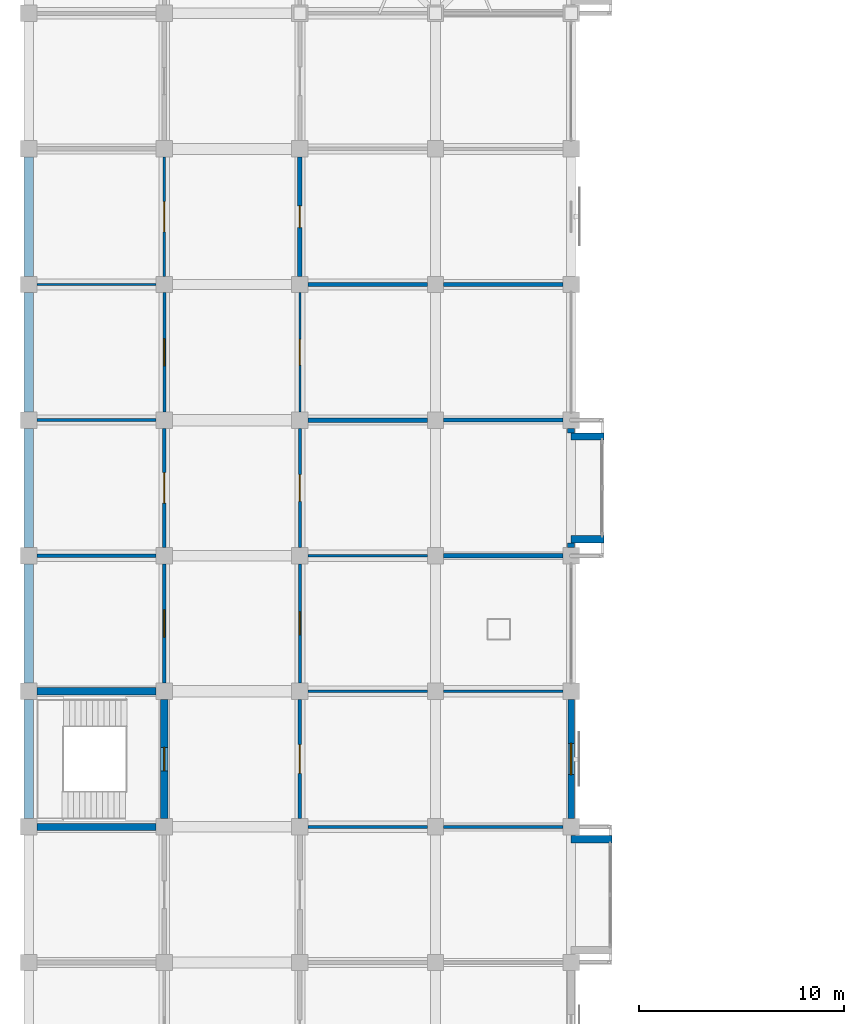
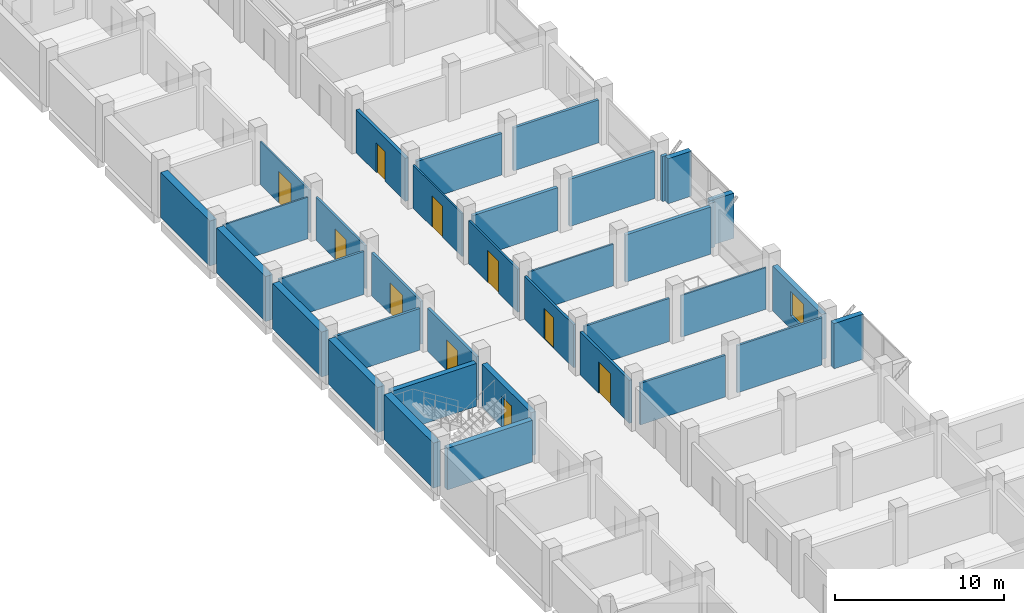
# One storey, part 22 of 30: 36 walls, 10 doors, 1 window, 11 openings.
"""IFC4 building model written with IfcOpenShell, lengths in metres."""

import ifcopenshell
import ifcopenshell.guid

model = None  # the IFC model being written
_history = None  # IfcOwnerHistory: only IFC2X3 demands one
_inside = {}  # id of a spatial element -> (the spatial element, [elements in it])
_under = {}  # id of a project, library or spatial element -> (it, [spatial elements below it])
_declared = {}  # id of a project -> (the project, [libraries it declares])
_typed = {}  # id of a type object -> (the type object, [elements of that type])
_made_of = {}  # id of a material, layer set ... -> (it, [elements and type objects made of it])


def new_model(schema):
    """Start an empty IFC model of exactly this schema.

    Asked for "IFC4X3", IfcOpenShell would pick the latest addendum, in which some entities
    have other attributes; the version numbers below select the first issue.
    IFC2X3 requires an IfcOwnerHistory on every rooted entity: one is made here for all.
    """
    global model, _history
    if schema == "IFC4X3":
        model = ifcopenshell.file(schema_version=(4, 3, 0, 0))
    else:
        model = ifcopenshell.file(schema=schema)
    _inside.clear()
    _under.clear()
    _declared.clear()
    _typed.clear()
    _made_of.clear()
    _history = None
    if model.schema == "IFC2X3":
        org = make("IfcOrganization", Name="unknown")
        user = make(
            "IfcPersonAndOrganization",
            ThePerson=make("IfcPerson", FamilyName="unknown"),
            TheOrganization=org,
        )
        app = make(
            "IfcApplication",
            ApplicationDeveloper=org,
            Version="unknown",
            ApplicationFullName="unknown",
            ApplicationIdentifier="unknown",
        )
        _history = make(
            "IfcOwnerHistory",
            OwningUser=user,
            OwningApplication=app,
            ChangeAction="ADDED",
            CreationDate=0,
        )
    return model


def make(cls, **values):
    """One entity of the class cls with the attributes given. An attribute that is None is left unset."""
    return model.create_entity(
        cls, **{name: value for name, value in values.items() if value is not None}
    )


def rooted(cls, **values):
    """An entity with a GlobalId (a new one), such as an element, a storey or a relation."""
    return make(cls, GlobalId=ifcopenshell.guid.new(), OwnerHistory=_history, **values)


def si_unit(unit_type, name, prefix=None):
    """IfcSIUnit, for example si_unit("LENGTHUNIT", "METRE", prefix="MILLI")."""
    return make("IfcSIUnit", UnitType=unit_type, Prefix=prefix, Name=name)


def assignment(units):
    """IfcUnitAssignment: the units of a project."""
    return None if units is None else make("IfcUnitAssignment", Units=units)


def point(xyz):
    """IfcCartesianPoint."""
    return None if xyz is None else make("IfcCartesianPoint", Coordinates=xyz)


def direction(xyz):
    """IfcDirection."""
    return None if xyz is None else make("IfcDirection", DirectionRatios=xyz)


def frame(location, z_axis=None, x_axis=None):
    """IfcAxis2Placement3D, a coordinate frame: its origin and axes. An axis left out is left unset."""
    return make(
        "IfcAxis2Placement3D",
        Location=point(location),
        Axis=direction(z_axis),
        RefDirection=direction(x_axis),
    )


def frame_2d(location, x_axis=None):
    """IfcAxis2Placement2D, a coordinate frame in the plane: its origin and x axis."""
    return make(
        "IfcAxis2Placement2D", Location=point(location), RefDirection=direction(x_axis)
    )


def origin():
    """The frame at (0, 0, 0) with its axes left unset."""
    return frame((0.0, 0.0, 0.0))


def place(relative_to, where):
    """IfcLocalPlacement: puts the frame where relative to a parent placement (None: the world)."""
    return make(
        "IfcLocalPlacement", PlacementRelTo=relative_to, RelativePlacement=where
    )


def context(
    kind, dimensions, precision=None, world=None, true_north=None, identifier=None
):
    """IfcGeometricRepresentationContext, for example the 3D "Model" context."""
    return make(
        "IfcGeometricRepresentationContext",
        ContextIdentifier=identifier,
        ContextType=kind,
        CoordinateSpaceDimension=dimensions,
        Precision=precision,
        WorldCoordinateSystem=world,
        TrueNorth=true_north,
    )


def subcontext(parent, identifier, kind, view, scale=None):
    """IfcGeometricRepresentationSubContext, for example "Body" below "Model"."""
    return make(
        "IfcGeometricRepresentationSubContext",
        ContextIdentifier=identifier,
        ContextType=kind,
        ParentContext=parent,
        TargetScale=scale,
        TargetView=view,
    )


def project(units=None, contexts=None):
    """IfcProject with its units and contexts."""
    return rooted(
        "IfcProject",
        Name="project",
        RepresentationContexts=contexts,
        UnitsInContext=assignment(units),
    )


def spatial(cls, under=None, at=None, **own):
    """A site, building, storey or space (cls), placed at a placement, below another one or the project."""
    s = rooted(cls, ObjectPlacement=at, **own)
    if under is not None:
        _under.setdefault(under.id(), (under, []))[1].append(s)
    return s


def profile(cls, at=None, kind="AREA", **sizes):
    """A parametric profile (cls). Its sizes go by their IFC names, for example OverallWidth=200.0."""
    return make(cls, ProfileType=kind, Position=at, **sizes)


def rectangle(**sizes):
    """IfcRectangleProfileDef."""
    return profile("IfcRectangleProfileDef", **sizes)


def extrude(swept, where, along, depth):
    """IfcExtrudedAreaSolid: the profile swept, set in the frame where, extruded along a direction by depth."""
    return make(
        "IfcExtrudedAreaSolid",
        SweptArea=swept,
        Position=where,
        ExtrudedDirection=direction(along),
        Depth=depth,
    )


def shape(context_of_items, identifier, shape_type, items):
    """IfcShapeRepresentation: the items that make up one representation, for example the "Body"."""
    return make(
        "IfcShapeRepresentation",
        ContextOfItems=context_of_items,
        RepresentationIdentifier=identifier,
        RepresentationType=shape_type,
        Items=items,
    )


def material(Name=None, Category=None):
    """IfcMaterial."""
    return make("IfcMaterial", Name=Name, Category=Category)


def layer(
    of_material, thickness, ventilated=None, Name=None, Category=None, Priority=None
):
    """IfcMaterialLayer: one layer of a wall or slab, of a material (None: an air gap)."""
    return make(
        "IfcMaterialLayer",
        Material=of_material,
        LayerThickness=thickness,
        IsVentilated=ventilated,
        Name=Name,
        Category=Category,
        Priority=Priority,
    )


def layer_set(layers, Name=None):
    """IfcMaterialLayerSet."""
    return make("IfcMaterialLayerSet", MaterialLayers=layers, LayerSetName=Name)


def made_of(thing, what):
    """Note that an element or type object is made of a material, layer set ...; save() writes the relation."""
    if what is not None:
        _made_of.setdefault(what.id(), (what, []))[1].append(thing)
    return thing


def type_object(cls, material=None, **own):
    """A type object (cls), such as IfcWallType, which elements share."""
    return made_of(rooted(cls, **own), material)


def element(
    cls,
    number,
    at=None,
    inside=None,
    cuts=None,
    type_object=None,
    material=None,
    context=None,
    identifier="Body",
    shape_type=None,
    held_by="IfcProductDefinitionShape",
    body=None,
    shapes=None,
    **own,
):
    """One element of the class cls, such as IfcWall. Its Tag is "e" and its number.

    at: its placement. inside: the storey or other place that contains it. cuts: it is an
    opening in that element (IfcRelVoidsElement). A single representation is given by context,
    identifier, shape_type and body (its items); several are given by shapes. held_by: the class
    of the entity that holds the representations. save() writes the other relations.
    """
    e = rooted(cls, Tag="e%d" % number, ObjectPlacement=at, **own)
    if body is not None:
        shapes = [shape(context, identifier, shape_type, body)]
    if shapes is not None:
        e.Representation = make(held_by, Representations=shapes)
    if inside is not None:
        _inside.setdefault(inside.id(), (inside, []))[1].append(e)
    if cuts is not None:
        rooted(
            "IfcRelVoidsElement", RelatingBuildingElement=cuts, RelatedOpeningElement=e
        )
    if type_object is not None:
        _typed.setdefault(type_object.id(), (type_object, []))[1].append(e)
    return made_of(e, material)


def fill(opening, filler):
    """IfcRelFillsElement: the door or window that sits in an opening."""
    return rooted(
        "IfcRelFillsElement",
        RelatingOpeningElement=opening,
        RelatedBuildingElement=filler,
    )


def aggregate(whole, parts):
    """IfcRelAggregates: a whole, such as a stair, and the parts it consists of."""
    return rooted("IfcRelAggregates", RelatingObject=whole, RelatedObjects=parts)


def save(model, path):
    """Write the relations noted so far, then the file.

    IfcRelAggregates (storeys below a building ...), IfcRelContainedInSpatialStructure (elements
    in a storey), IfcRelDefinesByType, IfcRelAssociatesMaterial and IfcRelDeclares: one each for
    every whole, place, type object, material and project.
    """
    for whole, parts in _under.values():
        aggregate(whole, parts)
    for where, things in _inside.values():
        rooted(
            "IfcRelContainedInSpatialStructure",
            RelatedElements=things,
            RelatingStructure=where,
        )
    for kind, things in _typed.values():
        rooted("IfcRelDefinesByType", RelatedObjects=things, RelatingType=kind)
    for what, things in _made_of.values():
        rooted("IfcRelAssociatesMaterial", RelatedObjects=things, RelatingMaterial=what)
    for by, libraries in _declared.values():
        rooted("IfcRelDeclares", RelatingContext=by, RelatedDefinitions=libraries)
    model.write(path)


model = new_model("IFC4")

# Units and contexts
model_context = context("Model", 3, precision=1e-05, world=origin(), true_north=direction((0.0, 1.0)))
body_context = subcontext(model_context, "Body", "Model", "MODEL_VIEW")
ifc_project = project(units=[si_unit("LENGTHUNIT", "METRE"), si_unit("AREAUNIT", "SQUARE_METRE"), si_unit("VOLUMEUNIT", "CUBIC_METRE"), si_unit("PLANEANGLEUNIT", "RADIAN"), si_unit("MASSUNIT", "GRAM", prefix="KILO")], contexts=[model_context])

# Site, building, storey
site_placement = place(None, origin())
site = spatial("IfcSite", under=ifc_project, at=site_placement, CompositionType="ELEMENT")
building_placement = place(site_placement, origin())
building = spatial("IfcBuilding", under=site, at=building_placement, Name="Rusizi Kubbe Research Institute", CompositionType="ELEMENT")
storey_placement = place(building_placement, frame((0.0, 0.0, 10.199951171875)))
storey = spatial("IfcBuildingStorey", under=building, at=storey_placement, Name="L02", CompositionType="ELEMENT", Elevation=10.199951171875)

# Walls
ifc_material_1 = material(Name="Concrete C45/55", Category="concrete")
ifc_layer_1 = layer(ifc_material_1, 0.35009765625)
ifc_layer_set_1 = layer_set([ifc_layer_1], Name="Concrete C45/55")
wall_type_1 = type_object("IfcWallType", Name="CRW-01", PredefinedType="SHEAR", material=ifc_layer_set_1)
wall_1_placement = place(storey_placement, frame((0.39990234375, 66.0, 0.0), z_axis=(0.0, 0.0, 1.0), x_axis=(1.0, 0.0, 0.0)))
element("IfcWall", 1, at=wall_1_placement, inside=storey, type_object=wall_type_1, Name="Stair Core Shear Wall ST5 L02 S", PredefinedType="SHEAR", context=body_context, shape_type="SweptSolid", body=[
    extrude(rectangle(XDim=5.800048828125, YDim=0.35009765625, at=frame_2d((2.89990234375, 0.0))), origin(), (0.0, 0.0, 1.0), 3.0),
])
wall_2_placement = place(storey_placement, frame((0.39990234375, 72.60009765625, 0.0), z_axis=(0.0, 0.0, 1.0), x_axis=(1.0, 0.0, 0.0)))
element("IfcWall", 2, at=wall_2_placement, inside=storey, type_object=wall_type_1, Name="Stair Core Shear Wall ST5 L02 N", PredefinedType="SHEAR", context=body_context, shape_type="SweptSolid", body=[
    extrude(rectangle(XDim=5.800048828125, YDim=0.35009765625, at=frame_2d((2.89990234375, 0.0))), origin(), (0.0, 0.0, 1.0), 3.10009765625),
])

# Wall, opening, door
wall_3_placement = place(storey_placement, frame((6.60009765625, 66.39990234375, 0.0), z_axis=(0.0, 0.0, 1.0), x_axis=(0.0, 1.0, 0.0)))
wall_3 = element("IfcWall", 3, at=wall_3_placement, inside=storey, type_object=wall_type_1, Name="Stair Core Shear Wall ST5 L02 E", PredefinedType="SHEAR", context=body_context, shape_type="SweptSolid", body=[
    extrude(rectangle(XDim=5.800048828125, YDim=0.35009765625, at=frame_2d((2.89990234375, 0.0))), origin(), (0.0, 0.0, 1.0), 3.10009765625),
])
opening_1_placement = place(wall_3_placement, frame((2.324951171875, 0.0, 0.0)))
opening_1 = element("IfcOpeningElement", 4, at=opening_1_placement, cuts=wall_3, Name="Opening D-02", PredefinedType="OPENING", context=body_context, shape_type="SweptSolid", body=[
    extrude(rectangle(XDim=1.14990234375, YDim=2.199951171875, at=frame_2d((0.574951171875, 1.10009765625))), frame((0.0, 0.18505859375, 0.0), z_axis=(0.0, -1.0, 0.0), x_axis=(1.0, 0.0, 0.0)), (0.0, 0.0, 1.0), 0.3701171875),
])
ifc_material_2 = material(Name="Fire-Rated Steel Frame and Acoustic Timber Leaf", Category="wood")
door_type_1 = type_object("IfcDoorType", Name="ID-STAIR-115", OperationType="NOTDEFINED", PredefinedType="DOOR", material=ifc_material_2)
door_1_placement = place(opening_1_placement, origin())
door_1 = element("IfcDoor", 5, at=door_1_placement, inside=storey, type_object=door_type_1, Name="Exit Stair Door ST5 L02", OperationType="SINGLE_SWING_RIGHT", OverallHeight=2.199951171875, OverallWidth=1.14990234375, PredefinedType="DOOR", context=body_context, shape_type="SweptSolid", body=[
    extrude(rectangle(XDim=1.14990234375, YDim=2.199951171875, at=frame_2d((0.574951171875, 1.10009765625))), frame((0.0, 0.02490234375, 0.0), z_axis=(0.0, -1.0, 0.0), x_axis=(1.0, 0.0, 0.0)), (0.0, 0.0, 1.0), 0.050048828125),
])
fill(opening_1, door_1)

# Walls
ifc_material_3 = material(Name="Volcanic Basalt Ashlar Masonry", Category="masonry")
ifc_layer_2 = layer(ifc_material_3, 0.35498046875)
ifc_layer_set_2 = layer_set([ifc_layer_2], Name="Volcanic Basalt Ashlar Masonry")
wall_type_2 = type_object("IfcWallType", Name="EW-06", PredefinedType="SOLIDWALL", material=ifc_layer_set_2)
wall_4_placement = place(storey_placement, frame((26.39990234375, 65.39990234375, 0.0), z_axis=(0.0, 0.0, 1.0), x_axis=(1.0, 0.0, 0.0)))
element("IfcWall", 6, at=wall_4_placement, inside=storey, type_object=wall_type_2, Name="Cumba Return Wall N L02 (4,9)", PredefinedType="SOLIDWALL", context=body_context, shape_type="SweptSolid", body=[
    extrude(rectangle(XDim=2.0, YDim=0.35498046875, at=frame_2d((1.0, 0.0))), origin(), (0.0, 0.0, 1.0), 3.25),
])
for number, where, z_axis, x_axis, name in (
    (7, (26.39990234375, 79.60009765625, 0.0), (0.0, 0.0, 1.0), (0.0, 1.0, 0.0), "Cumba South Pier L02 (4,12)"),
    (8, (26.39990234375, 85.1826171875, 0.0), (0.0, 0.0, 1.0), (0.0, 1.0, 0.0), "Cumba North Pier L02 (4,12)"),
):
    element("IfcWall", number, at=place(storey_placement, frame(where, z_axis=z_axis, x_axis=x_axis)), inside=storey, type_object=wall_type_2, Name=name, PredefinedType="SOLIDWALL", context=body_context, shape_type="SweptSolid", body=[
        extrude(rectangle(XDim=0.21728515625, YDim=0.35498046875, at=frame_2d((0.108642578125, 0.0))), origin(), (0.0, 0.0, 1.0), 3.25),
    ])
for number, where, z_axis, x_axis, name in (
    (9, (26.39990234375, 80.0, 0.0), (0.0, 0.0, 1.0), (1.0, 0.0, 0.0), "Cumba Return Wall S L02 (4,12)"),
    (10, (26.39990234375, 85.0, 0.0), (0.0, 0.0, 1.0), (1.0, 0.0, 0.0), "Cumba Return Wall N L02 (4,12)"),
):
    element("IfcWall", number, at=place(storey_placement, frame(where, z_axis=z_axis, x_axis=x_axis)), inside=storey, type_object=wall_type_2, Name=name, PredefinedType="SOLIDWALL", context=body_context, shape_type="SweptSolid", body=[
        extrude(rectangle(XDim=1.60009765625, YDim=0.35498046875, at=frame_2d((0.800048828125, 0.0))), origin(), (0.0, 0.0, 1.0), 3.25),
    ])

# Wall, opening, window
ifc_material_4 = material(Name="Volcanic Basalt Ashlar Masonry", Category="masonry")
ifc_layer_3 = layer(ifc_material_4, 0.324951171875)
ifc_layer_set_3 = layer_set([ifc_layer_3], Name="Volcanic Basalt Ashlar Masonry")
wall_type_3 = type_object("IfcWallType", Name="EW-08", PredefinedType="SOLIDWALL", material=ifc_layer_set_3)
wall_5_placement = place(storey_placement, frame((26.39990234375, 66.39990234375, 0.0), z_axis=(0.0, 0.0, 1.0), x_axis=(0.0, 1.0, 0.0)))
wall_5 = element("IfcWall", 11, at=wall_5_placement, inside=storey, type_object=wall_type_3, Name="Ablaq Stone Exterior Wall L02 V4-10", PredefinedType="SOLIDWALL", context=body_context, shape_type="SweptSolid", body=[
    extrude(rectangle(XDim=5.800048828125, YDim=0.324951171875, at=frame_2d((2.89990234375, 0.0))), origin(), (0.0, 0.0, 1.0), 3.25),
])
opening_2_placement = place(wall_5_placement, frame((2.139892578125, 0.0, 0.949951171875)))
opening_2 = element("IfcOpeningElement", 12, at=opening_2_placement, cuts=wall_5, Name="Opening WN-19", PredefinedType="OPENING", context=body_context, shape_type="SweptSolid", body=[
    extrude(rectangle(XDim=1.52001953125, YDim=1.739990234375, at=frame_2d((0.760009765625, 0.8701171875))), frame((0.0, 0.17236328125, 0.0), z_axis=(0.0, -1.0, 0.0), x_axis=(1.0, 0.0, 0.0)), (0.0, 0.0, 1.0), 0.344970703125),
])
ifc_material_5 = material(Name="Aluminium Frame and Solar-Control Double Glazing", Category="glass")
window_type = type_object("IfcWindowType", Name="WN-19", PartitioningType="DOUBLE_PANEL_VERTICAL", PredefinedType="WINDOW", material=ifc_material_5)
window_placement = place(opening_2_placement, origin())
window = element("IfcWindow", 13, at=window_placement, inside=storey, type_object=window_type, Name="Casement Window WN-19 L02", OverallHeight=1.739990234375, OverallWidth=1.52001953125, PartitioningType="DOUBLE_PANEL_VERTICAL", PredefinedType="WINDOW", context=body_context, shape_type="SweptSolid", body=[
    extrude(rectangle(XDim=1.52001953125, YDim=1.739990234375, at=frame_2d((0.760009765625, 0.8701171875))), frame((0.0, 0.030029296875, 0.0), z_axis=(0.0, -1.0, 0.0), x_axis=(1.0, 0.0, 0.0)), (0.0, 0.0, 1.0), 0.06005859375),
])
fill(opening_2, window)

# Wall, opening, door
ifc_material_6 = material(Name="Concrete Blockwork Fire Partition", Category="masonry")
ifc_layer_4 = layer(ifc_material_6, 0.22509765625)
ifc_layer_set_4 = layer_set([ifc_layer_4], Name="Concrete Blockwork Fire Partition")
wall_type_4 = type_object("IfcWallType", Name="IW-01", PredefinedType="PARTITIONING", material=ifc_layer_set_4)
wall_6_placement = place(storey_placement, frame((13.199951171875, 92.800048828125, 0.0), z_axis=(0.0, 0.0, 1.0), x_axis=(0.0, 1.0, 0.0)))
wall_6 = element("IfcWall", 14, at=wall_6_placement, inside=storey, type_object=wall_type_4, Name="Interior Partition Wall L02 V2-14", PredefinedType="PARTITIONING", context=body_context, shape_type="SweptSolid", body=[
    extrude(rectangle(XDim=5.800048828125, YDim=0.22509765625, at=frame_2d((2.89990234375, 0.0))), origin(), (0.0, 0.0, 1.0), 3.10009765625),
])
opening_3_placement = place(wall_6_placement, frame((2.375, 0.0, 0.0)))
opening_3 = element("IfcOpeningElement", 15, at=opening_3_placement, cuts=wall_6, Name="Opening D-16", PredefinedType="OPENING", context=body_context, shape_type="SweptSolid", body=[
    extrude(rectangle(XDim=1.050048828125, YDim=2.14990234375, at=frame_2d((0.52490234375, 1.074951171875))), frame((0.0, 0.12255859375, 0.0), z_axis=(0.0, -1.0, 0.0), x_axis=(1.0, 0.0, 0.0)), (0.0, 0.0, 1.0), 0.2451171875),
])
ifc_material_7 = material(Name="Fire-Rated Steel Frame and Acoustic Timber Leaf", Category="wood")
door_type_2 = type_object("IfcDoorType", Name="ID-OFF-105", OperationType="NOTDEFINED", PredefinedType="DOOR", material=ifc_material_7)
door_2_placement = place(opening_3_placement, origin())
door_2 = element("IfcDoor", 16, at=door_2_placement, inside=storey, type_object=door_type_2, Name="Door to Write-up Office (L02-NW-12)", OperationType="SINGLE_SWING_LEFT", OverallHeight=2.14990234375, OverallWidth=1.050048828125, PredefinedType="DOOR", context=body_context, shape_type="SweptSolid", body=[
    extrude(rectangle(XDim=1.050048828125, YDim=2.14990234375, at=frame_2d((0.52490234375, 1.074951171875))), frame((0.0, 0.02490234375, 0.0), z_axis=(0.0, -1.0, 0.0), x_axis=(1.0, 0.0, 0.0)), (0.0, 0.0, 1.0), 0.050048828125),
])
fill(opening_3, door_2)

# Walls
wall_7_placement = place(storey_placement, frame((13.60009765625, 85.800048828125, 0.0), z_axis=(0.0, 0.0, 1.0), x_axis=(1.0, 0.0, 0.0)))
element("IfcWall", 17, at=wall_7_placement, inside=storey, type_object=wall_type_4, Name="Interior Partition Wall L02 H2-13", PredefinedType="PARTITIONING", context=body_context, shape_type="SweptSolid", body=[
    extrude(rectangle(XDim=5.7998046875, YDim=0.22509765625, at=frame_2d((2.89990234375, 0.0))), origin(), (0.0, 0.0, 1.0), 3.10009765625),
])
wall_8_placement = place(storey_placement, frame((20.199951171875, 79.199951171875, 0.0), z_axis=(0.0, 0.0, 1.0), x_axis=(1.0, 0.0, 0.0)))
element("IfcWall", 18, at=wall_8_placement, inside=storey, type_object=wall_type_4, Name="Interior Partition Wall L02 H3-12", PredefinedType="PARTITIONING", context=body_context, shape_type="SweptSolid", body=[
    extrude(rectangle(XDim=5.800048828125, YDim=0.22509765625, at=frame_2d((2.89990234375, 0.0))), origin(), (0.0, 0.0, 1.0), 3.400146484375),
])
ifc_material_8 = material(Name="Insulated Cleanroom Partition", Category="masonry")
ifc_layer_5 = layer(ifc_material_8, 0.195068359375)
ifc_layer_set_5 = layer_set([ifc_layer_5], Name="Insulated Cleanroom Partition")
wall_type_5 = type_object("IfcWallType", Name="IW-02", PredefinedType="PARTITIONING", material=ifc_layer_set_5)
wall_9_placement = place(storey_placement, frame((13.60009765625, 92.39990234375, 0.0), z_axis=(0.0, 0.0, 1.0), x_axis=(1.0, 0.0, 0.0)))
element("IfcWall", 19, at=wall_9_placement, inside=storey, type_object=wall_type_5, Name="Interior Partition Wall L02 H2-14", PredefinedType="PARTITIONING", context=body_context, shape_type="SweptSolid", body=[
    extrude(rectangle(XDim=5.7998046875, YDim=0.195068359375, at=frame_2d((2.89990234375, 0.0))), origin(), (0.0, 0.0, 1.0), 3.0),
])
wall_10_placement = place(storey_placement, frame((20.199951171875, 85.800048828125, 0.0), z_axis=(0.0, 0.0, 1.0), x_axis=(1.0, 0.0, 0.0)))
element("IfcWall", 20, at=wall_10_placement, inside=storey, type_object=wall_type_5, Name="Interior Partition Wall L02 H3-13", PredefinedType="PARTITIONING", context=body_context, shape_type="SweptSolid", body=[
    extrude(rectangle(XDim=5.800048828125, YDim=0.195068359375, at=frame_2d((2.89990234375, 0.0))), origin(), (0.0, 0.0, 1.0), 3.400146484375),
])

# Wall, opening, door
ifc_material_9 = material(Name="Acoustic Laboratory Partition", Category="masonry")
ifc_layer_6 = layer(ifc_material_9, 0.175048828125)
ifc_layer_set_6 = layer_set([ifc_layer_6], Name="Acoustic Laboratory Partition")
wall_type_6 = type_object("IfcWallType", Name="IW-03", PredefinedType="PARTITIONING", material=ifc_layer_set_6)
wall_11_placement = place(storey_placement, frame((6.60009765625, 73.0, 0.0), z_axis=(0.0, 0.0, 1.0), x_axis=(0.0, 1.0, 0.0)))
wall_11 = element("IfcWall", 21, at=wall_11_placement, inside=storey, type_object=wall_type_6, Name="Interior Partition Wall L02 V1-11", PredefinedType="PARTITIONING", context=body_context, shape_type="SweptSolid", body=[
    extrude(rectangle(XDim=5.800048828125, YDim=0.175048828125, at=frame_2d((2.89990234375, 0.0))), origin(), (0.0, 0.0, 1.0), 3.10009765625),
])
opening_4_placement = place(wall_11_placement, frame((2.239990234375, 0.0, 0.0)))
opening_4 = element("IfcOpeningElement", 22, at=opening_4_placement, cuts=wall_11, Name="Opening LD-07", PredefinedType="OPENING", context=body_context, shape_type="SweptSolid", body=[
    extrude(rectangle(XDim=1.320068359375, YDim=2.199951171875, at=frame_2d((0.66015625, 1.10009765625))), frame((0.0, 0.097412109375, 0.0), z_axis=(0.0, -1.0, 0.0), x_axis=(1.0, 0.0, 0.0)), (0.0, 0.0, 1.0), 0.195068359375),
])
ifc_material_10 = material(Name="Brushed Stainless Steel Sliding Door", Category="steel")
door_type_3 = type_object("IfcDoorType", Name="LD-07", OperationType="DOUBLE_DOOR_SLIDING", PredefinedType="USERDEFINED", material=ifc_material_10)
door_3_placement = place(opening_4_placement, origin())
door_3 = element("IfcDoor", 23, at=door_3_placement, inside=storey, type_object=door_type_3, Name="Door to Clean Room Gowning Airlock (L02-ALK-11)", ObjectType="SLIDING DOOR", OperationType="DOUBLE_DOOR_SLIDING", OverallHeight=2.199951171875, OverallWidth=1.320068359375, PredefinedType="USERDEFINED", context=body_context, shape_type="SweptSolid", body=[
    extrude(rectangle(XDim=1.320068359375, YDim=2.199951171875, at=frame_2d((0.66015625, 1.10009765625))), frame((0.0, 0.02490234375, 0.0), z_axis=(0.0, -1.0, 0.0), x_axis=(1.0, 0.0, 0.0)), (0.0, 0.0, 1.0), 0.050048828125),
])
fill(opening_4, door_3)

wall_12_placement = place(storey_placement, frame((13.199951171875, 66.39990234375, 0.0), z_axis=(0.0, 0.0, 1.0), x_axis=(0.0, 1.0, 0.0)))
wall_12 = element("IfcWall", 24, at=wall_12_placement, inside=storey, type_object=wall_type_6, Name="Interior Partition Wall L02 V2-10", PredefinedType="PARTITIONING", context=body_context, shape_type="SweptSolid", body=[
    extrude(rectangle(XDim=5.800048828125, YDim=0.175048828125, at=frame_2d((2.89990234375, 0.0))), origin(), (0.0, 0.0, 1.0), 3.10009765625),
])
opening_5_placement = place(wall_12_placement, frame((2.199951171875, 0.0, 0.0)))
opening_5 = element("IfcOpeningElement", 25, at=opening_5_placement, cuts=wall_12, Name="Opening D-12", PredefinedType="OPENING", context=body_context, shape_type="SweptSolid", body=[
    extrude(rectangle(XDim=1.39990234375, YDim=2.25, at=frame_2d((0.699951171875, 1.125))), frame((0.0, 0.097412109375, 0.0), z_axis=(0.0, -1.0, 0.0), x_axis=(1.0, 0.0, 0.0)), (0.0, 0.0, 1.0), 0.195068359375),
])
ifc_material_11 = material(Name="Fire-Rated Steel Frame and Acoustic Timber Leaf", Category="wood")
door_type_4 = type_object("IfcDoorType", Name="ID-LAB-140", OperationType="NOTDEFINED", PredefinedType="DOOR", material=ifc_material_11)
door_4_placement = place(opening_5_placement, origin())
door_4 = element("IfcDoor", 26, at=door_4_placement, inside=storey, type_object=door_type_4, Name="Door to Computational Dry Laboratory (L02-NW-08)", OperationType="SINGLE_SWING_RIGHT", OverallHeight=2.25, OverallWidth=1.39990234375, PredefinedType="DOOR", context=body_context, shape_type="SweptSolid", body=[
    extrude(rectangle(XDim=1.39990234375, YDim=2.25, at=frame_2d((0.699951171875, 1.125))), frame((0.0, 0.02490234375, 0.0), z_axis=(0.0, -1.0, 0.0), x_axis=(1.0, 0.0, 0.0)), (0.0, 0.0, 1.0), 0.050048828125),
])
fill(opening_5, door_4)

# Walls
wall_13_placement = place(storey_placement, frame((20.199951171875, 92.39990234375, 0.0), z_axis=(0.0, 0.0, 1.0), x_axis=(1.0, 0.0, 0.0)))
element("IfcWall", 27, at=wall_13_placement, inside=storey, type_object=wall_type_6, Name="Interior Partition Wall L02 H3-14", PredefinedType="PARTITIONING", context=body_context, shape_type="SweptSolid", body=[
    extrude(rectangle(XDim=5.800048828125, YDim=0.175048828125, at=frame_2d((2.89990234375, 0.0))), origin(), (0.0, 0.0, 1.0), 3.10009765625),
])
ifc_material_12 = material(Name="Fire-Rated Corridor Partition", Category="masonry")
ifc_layer_7 = layer(ifc_material_12, 0.155029296875)
ifc_layer_set_7 = layer_set([ifc_layer_7], Name="Fire-Rated Corridor Partition")
wall_type_7 = type_object("IfcWallType", Name="IW-04", PredefinedType="PARTITIONING", material=ifc_layer_set_7)
wall_14_placement = place(storey_placement, frame((0.39990234375, 79.199951171875, 0.0), z_axis=(0.0, 0.0, 1.0), x_axis=(1.0, 0.0, 0.0)))
element("IfcWall", 28, at=wall_14_placement, inside=storey, type_object=wall_type_7, Name="Interior Partition Wall L02 H0-12", PredefinedType="PARTITIONING", context=body_context, shape_type="SweptSolid", body=[
    extrude(rectangle(XDim=5.800048828125, YDim=0.155029296875, at=frame_2d((2.89990234375, 0.0))), origin(), (0.0, 0.0, 1.0), 3.0),
])

# Wall, opening, door
wall_15_placement = place(storey_placement, frame((6.60009765625, 79.60009765625, 0.0), z_axis=(0.0, 0.0, 1.0), x_axis=(0.0, 1.0, 0.0)))
wall_15 = element("IfcWall", 29, at=wall_15_placement, inside=storey, type_object=wall_type_7, Name="Interior Partition Wall L02 V1-12", PredefinedType="PARTITIONING", context=body_context, shape_type="SweptSolid", body=[
    extrude(rectangle(XDim=5.7998046875, YDim=0.155029296875, at=frame_2d((2.89990234375, 0.0))), origin(), (0.0, 0.0, 1.0), 3.10009765625),
])
opening_6_placement = place(wall_15_placement, frame((2.159912109375, 0.0, 0.0)))
opening_6 = element("IfcOpeningElement", 30, at=opening_6_placement, cuts=wall_15, Name="Opening LD-08", PredefinedType="OPENING", context=body_context, shape_type="SweptSolid", body=[
    extrude(rectangle(XDim=1.47998046875, YDim=2.25, at=frame_2d((0.739990234375, 1.125))), frame((0.0, 0.08740234375, 0.0), z_axis=(0.0, -1.0, 0.0), x_axis=(1.0, 0.0, 0.0)), (0.0, 0.0, 1.0), 0.175048828125),
])
ifc_material_13 = material(Name="Brushed Stainless Steel Sliding Door", Category="steel")
door_type_5 = type_object("IfcDoorType", Name="LD-08", OperationType="DOUBLE_DOOR_SLIDING", PredefinedType="USERDEFINED", material=ifc_material_13)
door_5_placement = place(opening_6_placement, origin())
door_5 = element("IfcDoor", 31, at=door_5_placement, inside=storey, type_object=door_type_5, Name="Door to ISO-6 Clean Room Suite (L02-CR-12)", ObjectType="SLIDING DOOR", OperationType="DOUBLE_DOOR_SLIDING", OverallHeight=2.25, OverallWidth=1.47998046875, PredefinedType="USERDEFINED", context=body_context, shape_type="SweptSolid", body=[
    extrude(rectangle(XDim=1.47998046875, YDim=2.25, at=frame_2d((0.739990234375, 1.125))), frame((0.0, 0.02490234375, 0.0), z_axis=(0.0, -1.0, 0.0), x_axis=(1.0, 0.0, 0.0)), (0.0, 0.0, 1.0), 0.050048828125),
])
fill(opening_6, door_5)

wall_16_placement = place(storey_placement, frame((13.199951171875, 73.0, 0.0), z_axis=(0.0, 0.0, 1.0), x_axis=(0.0, 1.0, 0.0)))
wall_16 = element("IfcWall", 32, at=wall_16_placement, inside=storey, type_object=wall_type_7, Name="Interior Partition Wall L02 V2-11", PredefinedType="PARTITIONING", context=body_context, shape_type="SweptSolid", body=[
    extrude(rectangle(XDim=5.800048828125, YDim=0.155029296875, at=frame_2d((2.89990234375, 0.0))), origin(), (0.0, 0.0, 1.0), 3.10009765625),
])
opening_7_placement = place(wall_16_placement, frame((2.340087890625, 0.0, 0.0)))
opening_7 = element("IfcOpeningElement", 33, at=opening_7_placement, cuts=wall_16, Name="Opening D-18", PredefinedType="OPENING", context=body_context, shape_type="SweptSolid", body=[
    extrude(rectangle(XDim=1.1201171875, YDim=2.199951171875, at=frame_2d((0.56005859375, 1.10009765625))), frame((0.0, 0.08740234375, 0.0), z_axis=(0.0, -1.0, 0.0), x_axis=(1.0, 0.0, 0.0)), (0.0, 0.0, 1.0), 0.175048828125),
])
ifc_material_14 = material(Name="Fire-Rated Steel Frame and Acoustic Timber Leaf", Category="wood")
door_type_6 = type_object("IfcDoorType", Name="ID-OFF-112", OperationType="NOTDEFINED", PredefinedType="DOOR", material=ifc_material_14)
door_6_placement = place(opening_7_placement, origin())
door_6 = element("IfcDoor", 34, at=door_6_placement, inside=storey, type_object=door_type_6, Name="Door to Write-up Office (L02-NW-09)", OperationType="SINGLE_SWING_LEFT", OverallHeight=2.199951171875, OverallWidth=1.1201171875, PredefinedType="DOOR", context=body_context, shape_type="SweptSolid", body=[
    extrude(rectangle(XDim=1.1201171875, YDim=2.199951171875, at=frame_2d((0.56005859375, 1.10009765625))), frame((0.0, 0.02490234375, 0.0), z_axis=(0.0, -1.0, 0.0), x_axis=(1.0, 0.0, 0.0)), (0.0, 0.0, 1.0), 0.050048828125),
])
fill(opening_7, door_6)

# Walls
wall_17_placement = place(storey_placement, frame((13.60009765625, 66.0, 0.0), z_axis=(0.0, 0.0, 1.0), x_axis=(1.0, 0.0, 0.0)))
element("IfcWall", 35, at=wall_17_placement, inside=storey, type_object=wall_type_7, Name="Interior Partition Wall L02 H2-10", PredefinedType="PARTITIONING", context=body_context, shape_type="SweptSolid", body=[
    extrude(rectangle(XDim=5.7998046875, YDim=0.155029296875, at=frame_2d((2.89990234375, 0.0))), origin(), (0.0, 0.0, 1.0), 3.0),
])
ifc_material_15 = material(Name="Write-up Glazed Acoustic Partition", Category="masonry")
ifc_layer_8 = layer(ifc_material_15, 0.139892578125)
ifc_layer_set_8 = layer_set([ifc_layer_8], Name="Write-up Glazed Acoustic Partition")
wall_type_8 = type_object("IfcWallType", Name="IW-05", PredefinedType="PARTITIONING", material=ifc_layer_set_8)
wall_18_placement = place(storey_placement, frame((0.39990234375, 85.800048828125, 0.0), z_axis=(0.0, 0.0, 1.0), x_axis=(1.0, 0.0, 0.0)))
element("IfcWall", 36, at=wall_18_placement, inside=storey, type_object=wall_type_8, Name="Interior Partition Wall L02 H0-13", PredefinedType="PARTITIONING", context=body_context, shape_type="SweptSolid", body=[
    extrude(rectangle(XDim=5.800048828125, YDim=0.139892578125, at=frame_2d((2.89990234375, 0.0))), origin(), (0.0, 0.0, 1.0), 3.10009765625),
])

# Wall, opening, door
wall_19_placement = place(storey_placement, frame((6.60009765625, 86.199951171875, 0.0), z_axis=(0.0, 0.0, 1.0), x_axis=(0.0, 1.0, 0.0)))
wall_19 = element("IfcWall", 37, at=wall_19_placement, inside=storey, type_object=wall_type_8, Name="Interior Partition Wall L02 V1-13", PredefinedType="PARTITIONING", context=body_context, shape_type="SweptSolid", body=[
    extrude(rectangle(XDim=5.800048828125, YDim=0.139892578125, at=frame_2d((2.89990234375, 0.0))), origin(), (0.0, 0.0, 1.0), 3.10009765625),
])
opening_8_placement = place(wall_19_placement, frame((2.239990234375, 0.0, 0.0)))
opening_8 = element("IfcOpeningElement", 38, at=opening_8_placement, cuts=wall_19, Name="Opening LD-07", PredefinedType="OPENING", context=body_context, shape_type="SweptSolid", body=[
    extrude(rectangle(XDim=1.320068359375, YDim=2.199951171875, at=frame_2d((0.66015625, 1.10009765625))), frame((0.0, 0.079833984375, 0.0), z_axis=(0.0, -1.0, 0.0), x_axis=(1.0, 0.0, 0.0)), (0.0, 0.0, 1.0), 0.159912109375),
])
door_7_placement = place(opening_8_placement, origin())
door_7 = element("IfcDoor", 39, at=door_7_placement, inside=storey, type_object=door_type_3, Name="Door to Clean Room Gowning Airlock (L02-ALK-13)", ObjectType="SLIDING DOOR", OperationType="DOUBLE_DOOR_SLIDING", OverallHeight=2.199951171875, OverallWidth=1.320068359375, PredefinedType="USERDEFINED", context=body_context, shape_type="SweptSolid", body=[
    extrude(rectangle(XDim=1.320068359375, YDim=2.199951171875, at=frame_2d((0.66015625, 1.10009765625))), frame((0.0, 0.02490234375, 0.0), z_axis=(0.0, -1.0, 0.0), x_axis=(1.0, 0.0, 0.0)), (0.0, 0.0, 1.0), 0.050048828125),
])
fill(opening_8, door_7)

wall_20_placement = place(storey_placement, frame((13.199951171875, 79.60009765625, 0.0), z_axis=(0.0, 0.0, 1.0), x_axis=(0.0, 1.0, 0.0)))
wall_20 = element("IfcWall", 40, at=wall_20_placement, inside=storey, type_object=wall_type_8, Name="Interior Partition Wall L02 V2-12", PredefinedType="PARTITIONING", context=body_context, shape_type="SweptSolid", body=[
    extrude(rectangle(XDim=5.7998046875, YDim=0.139892578125, at=frame_2d((2.89990234375, 0.0))), origin(), (0.0, 0.0, 1.0), 3.10009765625),
])
opening_9_placement = place(wall_20_placement, frame((2.25, 0.0, 0.0)))
opening_9 = element("IfcOpeningElement", 41, at=opening_9_placement, cuts=wall_20, Name="Opening D-14", PredefinedType="OPENING", context=body_context, shape_type="SweptSolid", body=[
    extrude(rectangle(XDim=1.300048828125, YDim=2.300048828125, at=frame_2d((0.64990234375, 1.14990234375))), frame((0.0, 0.079833984375, 0.0), z_axis=(0.0, -1.0, 0.0), x_axis=(1.0, 0.0, 0.0)), (0.0, 0.0, 1.0), 0.159912109375),
])
ifc_material_16 = material(Name="Fire-Rated Steel Frame and Acoustic Timber Leaf", Category="wood")
door_type_7 = type_object("IfcDoorType", Name="ID-LAB-130", OperationType="NOTDEFINED", PredefinedType="DOOR", material=ifc_material_16)
door_8_placement = place(opening_9_placement, origin())
door_8 = element("IfcDoor", 42, at=door_8_placement, inside=storey, type_object=door_type_7, Name="Door to Bioscience Wet Laboratory (L02-NW-10)", OperationType="SINGLE_SWING_RIGHT", OverallHeight=2.300048828125, OverallWidth=1.300048828125, PredefinedType="DOOR", context=body_context, shape_type="SweptSolid", body=[
    extrude(rectangle(XDim=1.300048828125, YDim=2.300048828125, at=frame_2d((0.64990234375, 1.14990234375))), frame((0.0, 0.02490234375, 0.0), z_axis=(0.0, -1.0, 0.0), x_axis=(1.0, 0.0, 0.0)), (0.0, 0.0, 1.0), 0.050048828125),
])
fill(opening_9, door_8)

# Walls
wall_21_placement = place(storey_placement, frame((13.60009765625, 72.60009765625, 0.0), z_axis=(0.0, 0.0, 1.0), x_axis=(1.0, 0.0, 0.0)))
element("IfcWall", 43, at=wall_21_placement, inside=storey, type_object=wall_type_8, Name="Interior Partition Wall L02 H2-11", PredefinedType="PARTITIONING", context=body_context, shape_type="SweptSolid", body=[
    extrude(rectangle(XDim=5.7998046875, YDim=0.139892578125, at=frame_2d((2.89990234375, 0.0))), origin(), (0.0, 0.0, 1.0), 3.10009765625),
])
wall_22_placement = place(storey_placement, frame((20.199951171875, 66.0, 0.0), z_axis=(0.0, 0.0, 1.0), x_axis=(1.0, 0.0, 0.0)))
element("IfcWall", 44, at=wall_22_placement, inside=storey, type_object=wall_type_8, Name="Interior Partition Wall L02 H3-10", PredefinedType="PARTITIONING", context=body_context, shape_type="SweptSolid", body=[
    extrude(rectangle(XDim=5.800048828125, YDim=0.139892578125, at=frame_2d((2.89990234375, 0.0))), origin(), (0.0, 0.0, 1.0), 3.400146484375),
])
ifc_material_17 = material(Name="Sub-Suite Fire Partition", Category="masonry")
ifc_layer_9 = layer(ifc_material_17, 0.110107421875)
ifc_layer_set_9 = layer_set([ifc_layer_9], Name="Sub-Suite Fire Partition")
wall_type_9 = type_object("IfcWallType", Name="IW-07", PredefinedType="PARTITIONING", material=ifc_layer_set_9)
wall_23_placement = place(storey_placement, frame((0.39990234375, 92.39990234375, 0.0), z_axis=(0.0, 0.0, 1.0), x_axis=(1.0, 0.0, 0.0)))
element("IfcWall", 45, at=wall_23_placement, inside=storey, type_object=wall_type_9, Name="Interior Partition Wall L02 H0-14", PredefinedType="PARTITIONING", context=body_context, shape_type="SweptSolid", body=[
    extrude(rectangle(XDim=5.800048828125, YDim=0.110107421875, at=frame_2d((2.89990234375, 0.0))), origin(), (0.0, 0.0, 1.0), 3.0),
])

# Wall, opening, door
wall_24_placement = place(storey_placement, frame((6.60009765625, 92.800048828125, 0.0), z_axis=(0.0, 0.0, 1.0), x_axis=(0.0, 1.0, 0.0)))
wall_24 = element("IfcWall", 46, at=wall_24_placement, inside=storey, type_object=wall_type_9, Name="Interior Partition Wall L02 V1-14", PredefinedType="PARTITIONING", context=body_context, shape_type="SweptSolid", body=[
    extrude(rectangle(XDim=5.800048828125, YDim=0.110107421875, at=frame_2d((2.89990234375, 0.0))), origin(), (0.0, 0.0, 1.0), 3.10009765625),
])
opening_10_placement = place(wall_24_placement, frame((2.159912109375, 0.0, 0.0)))
opening_10 = element("IfcOpeningElement", 47, at=opening_10_placement, cuts=wall_24, Name="Opening LD-08", PredefinedType="OPENING", context=body_context, shape_type="SweptSolid", body=[
    extrude(rectangle(XDim=1.47998046875, YDim=2.25, at=frame_2d((0.739990234375, 1.125))), frame((0.0, 0.06494140625, 0.0), z_axis=(0.0, -1.0, 0.0), x_axis=(1.0, 0.0, 0.0)), (0.0, 0.0, 1.0), 0.130126953125),
])
door_9_placement = place(opening_10_placement, origin())
door_9 = element("IfcDoor", 48, at=door_9_placement, inside=storey, type_object=door_type_5, Name="Door to ISO-6 Clean Room Suite (L02-CR-14)", ObjectType="SLIDING DOOR", OperationType="DOUBLE_DOOR_SLIDING", OverallHeight=2.25, OverallWidth=1.47998046875, PredefinedType="USERDEFINED", context=body_context, shape_type="SweptSolid", body=[
    extrude(rectangle(XDim=1.47998046875, YDim=2.25, at=frame_2d((0.739990234375, 1.125))), frame((0.0, 0.02490234375, 0.0), z_axis=(0.0, -1.0, 0.0), x_axis=(1.0, 0.0, 0.0)), (0.0, 0.0, 1.0), 0.050048828125),
])
fill(opening_10, door_9)

wall_25_placement = place(storey_placement, frame((13.199951171875, 86.199951171875, 0.0), z_axis=(0.0, 0.0, 1.0), x_axis=(0.0, 1.0, 0.0)))
wall_25 = element("IfcWall", 49, at=wall_25_placement, inside=storey, type_object=wall_type_9, Name="Interior Partition Wall L02 V2-13", PredefinedType="PARTITIONING", context=body_context, shape_type="SweptSolid", body=[
    extrude(rectangle(XDim=5.800048828125, YDim=0.110107421875, at=frame_2d((2.89990234375, 0.0))), origin(), (0.0, 0.0, 1.0), 3.10009765625),
])
opening_11_placement = place(wall_25_placement, frame((2.27490234375, 0.0, 0.0)))
opening_11 = element("IfcOpeningElement", 50, at=opening_11_placement, cuts=wall_25, Name="Opening D-15", PredefinedType="OPENING", context=body_context, shape_type="SweptSolid", body=[
    extrude(rectangle(XDim=1.25, YDim=2.25, at=frame_2d((0.625, 1.125))), frame((0.0, 0.06494140625, 0.0), z_axis=(0.0, -1.0, 0.0), x_axis=(1.0, 0.0, 0.0)), (0.0, 0.0, 1.0), 0.130126953125),
])
ifc_material_18 = material(Name="Fire-Rated Steel Frame and Acoustic Timber Leaf", Category="wood")
door_type_8 = type_object("IfcDoorType", Name="ID-LAB-125", OperationType="NOTDEFINED", PredefinedType="DOOR", material=ifc_material_18)
door_10_placement = place(opening_11_placement, origin())
door_10 = element("IfcDoor", 51, at=door_10_placement, inside=storey, type_object=door_type_8, Name="Door to Computational Dry Laboratory (L02-NW-11)", OperationType="SINGLE_SWING_LEFT", OverallHeight=2.25, OverallWidth=1.25, PredefinedType="DOOR", context=body_context, shape_type="SweptSolid", body=[
    extrude(rectangle(XDim=1.25, YDim=2.25, at=frame_2d((0.625, 1.125))), frame((0.0, 0.02490234375, 0.0), z_axis=(0.0, -1.0, 0.0), x_axis=(1.0, 0.0, 0.0)), (0.0, 0.0, 1.0), 0.050048828125),
])
fill(opening_11, door_10)

# Walls
wall_26_placement = place(storey_placement, frame((13.60009765625, 79.199951171875, 0.0), z_axis=(0.0, 0.0, 1.0), x_axis=(1.0, 0.0, 0.0)))
element("IfcWall", 52, at=wall_26_placement, inside=storey, type_object=wall_type_9, Name="Interior Partition Wall L02 H2-12", PredefinedType="PARTITIONING", context=body_context, shape_type="SweptSolid", body=[
    extrude(rectangle(XDim=5.7998046875, YDim=0.110107421875, at=frame_2d((2.89990234375, 0.0))), origin(), (0.0, 0.0, 1.0), 3.0),
])
wall_27_placement = place(storey_placement, frame((20.199951171875, 72.60009765625, 0.0), z_axis=(0.0, 0.0, 1.0), x_axis=(1.0, 0.0, 0.0)))
element("IfcWall", 53, at=wall_27_placement, inside=storey, type_object=wall_type_9, Name="Interior Partition Wall L02 H3-11", PredefinedType="PARTITIONING", context=body_context, shape_type="SweptSolid", body=[
    extrude(rectangle(XDim=5.800048828125, YDim=0.110107421875, at=frame_2d((2.89990234375, 0.0))), origin(), (0.0, 0.0, 1.0), 3.0),
])
ifc_material_19 = material(Name="Concrete C40/50", Category="concrete")
ifc_layer_10 = layer(ifc_material_19, 0.47998046875)
ifc_layer_set_10 = layer_set([ifc_layer_10], Name="Concrete C40/50")
wall_type_10 = type_object("IfcWallType", Name="PW-01", PredefinedType="SOLIDWALL", material=ifc_layer_set_10)
for number, where, z_axis, x_axis, name in (
    (54, (0.0, 66.39990234375, 0.0), (0.0, 0.0, 1.0), (0.0, 1.0, 0.0), "Blind Party Wall L02 V0-10"),
    (55, (0.0, 73.0, 0.0), (0.0, 0.0, 1.0), (0.0, 1.0, 0.0), "Blind Party Wall L02 V0-11"),
):
    element("IfcWall", number, at=place(storey_placement, frame(where, z_axis=z_axis, x_axis=x_axis)), inside=storey, type_object=wall_type_10, Name=name, PredefinedType="SOLIDWALL", context=body_context, shape_type="SweptSolid", body=[
        extrude(rectangle(XDim=5.800048828125, YDim=0.47998046875, at=frame_2d((2.89990234375, 0.0))), origin(), (0.0, 0.0, 1.0), 3.25),
    ])
wall_28_placement = place(storey_placement, frame((0.0, 79.60009765625, 0.0), z_axis=(0.0, 0.0, 1.0), x_axis=(0.0, 1.0, 0.0)))
element("IfcWall", 56, at=wall_28_placement, inside=storey, type_object=wall_type_10, Name="Blind Party Wall L02 V0-12", PredefinedType="SOLIDWALL", context=body_context, shape_type="SweptSolid", body=[
    extrude(rectangle(XDim=5.7998046875, YDim=0.47998046875, at=frame_2d((2.89990234375, 0.0))), origin(), (0.0, 0.0, 1.0), 3.25),
])
for number, where, z_axis, x_axis, name in (
    (57, (0.0, 86.199951171875, 0.0), (0.0, 0.0, 1.0), (0.0, 1.0, 0.0), "Blind Party Wall L02 V0-13"),
    (58, (0.0, 92.800048828125, 0.0), (0.0, 0.0, 1.0), (0.0, 1.0, 0.0), "Blind Party Wall L02 V0-14"),
):
    element("IfcWall", number, at=place(storey_placement, frame(where, z_axis=z_axis, x_axis=x_axis)), inside=storey, type_object=wall_type_10, Name=name, PredefinedType="SOLIDWALL", context=body_context, shape_type="SweptSolid", body=[
        extrude(rectangle(XDim=5.800048828125, YDim=0.47998046875, at=frame_2d((2.89990234375, 0.0))), origin(), (0.0, 0.0, 1.0), 3.25),
    ])

save(model, "model.ifc")
